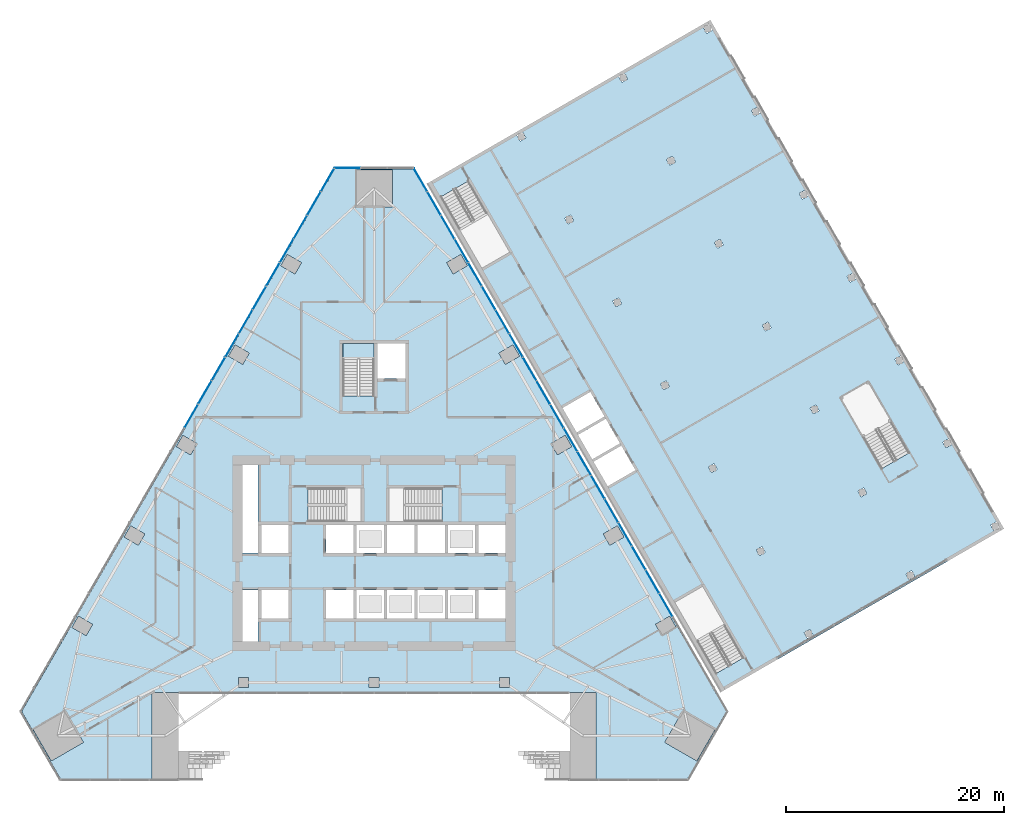
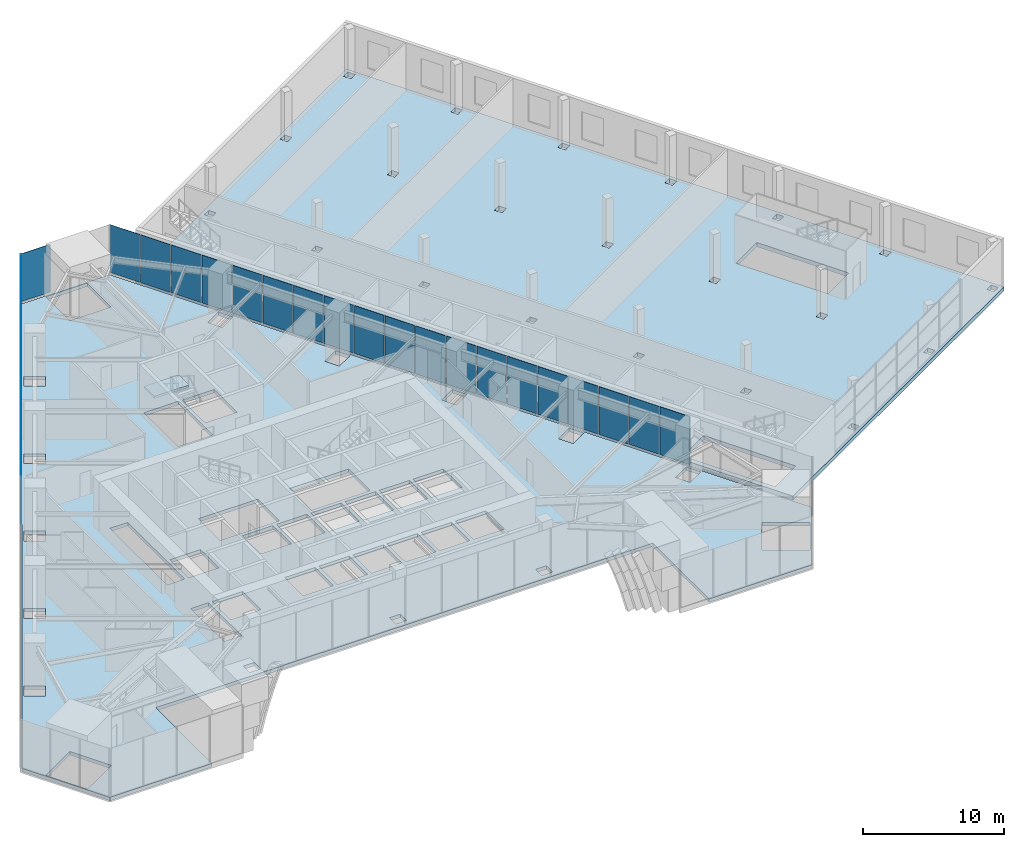
# One storey, part 15 of 29: 31 plates, 3 slabs, 4 elements without a shape of their own.
"""IFC4 building model written with IfcOpenShell, lengths in metres."""

from ifc_helpers import new_model, si_unit, direction, frame, origin, place, context, subcontext, project, spatial, polyline, outline, extrude, material, layer, layer_set, type_object, element, aggregate, save


model = new_model("IFC4")

# Units and contexts
model_context = context("Model", 3, precision=1e-05, world=origin(), true_north=direction((0.0, 1.0)))
body_context = subcontext(model_context, "Body", "Model", "MODEL_VIEW")
ifc_project = project(units=[si_unit("LENGTHUNIT", "METRE"), si_unit("AREAUNIT", "SQUARE_METRE"), si_unit("VOLUMEUNIT", "CUBIC_METRE"), si_unit("PLANEANGLEUNIT", "RADIAN"), si_unit("MASSUNIT", "GRAM", prefix="KILO")], contexts=[model_context])

# Site, building, storey
site_placement = place(None, origin())
site = spatial("IfcSite", under=ifc_project, at=site_placement, CompositionType="ELEMENT")
building_placement = place(site_placement, origin())
building = spatial("IfcBuilding", under=site, at=building_placement, Name="Firuza Gate Tower and Library", CompositionType="ELEMENT")
storey_placement = place(building_placement, frame((0.0, 0.0, 8.0)))
storey = spatial("IfcBuildingStorey", under=building, at=storey_placement, Name="L01", CompositionType="ELEMENT", Elevation=8.0)

# Curtain wall, plates
ifc_material_1 = material(Name="Aluminium 6063-T6", Category="aluminium")
ifc_layer_1 = layer(ifc_material_1, 0.14990234375)
ifc_layer_set_1 = layer_set([ifc_layer_1], Name="Stick curtain wall, podium")
curtain_wall_type = type_object("IfcCurtainWallType", Name="Stick curtain wall, podium", PredefinedType="NOTDEFINED", material=ifc_layer_set_1)
placement = place(storey_placement, origin())
curtain_wall_1 = element("IfcCurtainWall", 1, at=placement, inside=storey, type_object=curtain_wall_type, Name="CW5 L01 E", PredefinedType="NOTDEFINED")
ifc_material_2 = material(Name="Fritted glass", Category="glass")
ifc_layer_2 = layer(ifc_material_2, 0.030029296875)
ifc_layer_set_2 = layer_set([ifc_layer_2], Name="Clear glass unit, podium")
plate_type = type_object("IfcPlateType", Name="Clear glass unit, podium", PredefinedType="CURTAIN_PANEL", material=ifc_layer_set_2)
plate_1_placement = place(storey_placement, frame((102.46337890625, 69.18115234375, 0.14990234375), z_axis=(0.86603825568, 0.499977739203, 0.0), x_axis=(-0.499977739203, 0.86603825568, 0.0)))
plate_1 = element("IfcPlate", 2, at=plate_1_placement, type_object=plate_type, Name="Glass unit", PredefinedType="CURTAIN_PANEL", context=body_context, shape_type="SweptSolid", body=[
    extrude(outline(polyline([(0.0, 0.0), (2.428330769405526, 0.0), (2.428330769405526, 4.150146484375), (0.0, 4.150146484375), (0.0, 0.0)])), origin(), (0.0, 0.0, -1.0), 0.030029296875),
])
plate_2_placement = place(storey_placement, frame((101.209228515625, 71.353271484375, 0.14990234375), z_axis=(0.866056658381, 0.499945861543, 0.0), x_axis=(-0.499945861543, 0.866056658381, 0.0)))
plate_2 = element("IfcPlate", 3, at=plate_2_placement, type_object=plate_type, Name="Glass unit", PredefinedType="CURTAIN_PANEL", context=body_context, shape_type="SweptSolid", body=[
    extrude(outline(polyline([(0.0, 0.0), (2.4279972710515545, 0.0), (2.4279972710515545, 4.150146484375), (0.0, 4.150146484375), (0.0, 0.0)])), origin(), (0.0, 0.0, -1.0), 0.030029296875),
])
plate_3_placement = place(storey_placement, frame((99.955322265625, 73.525390625, 0.14990234375), z_axis=(0.866013120021, 0.500021275498, 0.0), x_axis=(-0.500021275498, 0.866013120021, 0.0)))
plate_3 = element("IfcPlate", 4, at=plate_3_placement, type_object=plate_type, Name="Glass unit", PredefinedType="CURTAIN_PANEL", context=body_context, shape_type="SweptSolid", body=[
    extrude(outline(polyline([(0.0, 0.0), (2.428119337352694, 0.0), (2.428119337352694, 4.150146484374999), (0.0, 4.150146484374999), (0.0, 0.0)])), origin(), (0.0, 0.0, -1.0), 0.030029296875),
])
plate_4_placement = place(storey_placement, frame((98.701171875, 75.697509765625, 0.14990234375), z_axis=(0.866013120021, 0.500021275498, 0.0), x_axis=(-0.500021275498, 0.866013120021, 0.0)))
plate_4 = element("IfcPlate", 5, at=plate_4_placement, type_object=plate_type, Name="Glass unit", PredefinedType="CURTAIN_PANEL", context=body_context, shape_type="SweptSolid", body=[
    extrude(outline(polyline([(0.0, 0.0), (2.428119337352694, 0.0), (2.428119337352694, 4.150146484374999), (0.0, 4.150146484374999), (0.0, 0.0)])), origin(), (0.0, 0.0, -1.0), 0.030029296875),
])
plate_5_placement = place(storey_placement, frame((97.447021484375, 77.86962890625, 0.14990234375), z_axis=(0.866056658381, 0.499945861543, 0.0), x_axis=(-0.499945861543, 0.866056658381, 0.0)))
plate_5 = element("IfcPlate", 6, at=plate_5_placement, type_object=plate_type, Name="Glass unit", PredefinedType="CURTAIN_PANEL", context=body_context, shape_type="SweptSolid", body=[
    extrude(outline(polyline([(0.0, 0.0), (2.4279972710515545, 0.0), (2.4279972710515545, 4.150146484375), (0.0, 4.150146484375), (0.0, 0.0)])), origin(), (0.0, 0.0, -1.0), 0.030029296875),
])
plate_6_placement = place(storey_placement, frame((96.193115234375, 80.041748046875, 0.14990234375), z_axis=(0.866013120021, 0.500021275498, 0.0), x_axis=(-0.500021275498, 0.866013120021, 0.0)))
plate_6 = element("IfcPlate", 7, at=plate_6_placement, type_object=plate_type, Name="Glass unit", PredefinedType="CURTAIN_PANEL", context=body_context, shape_type="SweptSolid", body=[
    extrude(outline(polyline([(0.0, 0.0), (2.428119337352694, 0.0), (2.428119337352694, 4.150146484374999), (0.0, 4.150146484374999), (0.0, 0.0)])), origin(), (0.0, 0.0, -1.0), 0.030029296875),
])
plate_7_placement = place(storey_placement, frame((94.93896484375, 82.2138671875, 0.14990234375), z_axis=(0.866013120021, 0.500021275498, 0.0), x_axis=(-0.500021275498, 0.866013120021, 0.0)))
plate_7 = element("IfcPlate", 8, at=plate_7_placement, type_object=plate_type, Name="Glass unit", PredefinedType="CURTAIN_PANEL", context=body_context, shape_type="SweptSolid", body=[
    extrude(outline(polyline([(0.0, 0.0), (2.428119337352694, 0.0), (2.428119337352694, 4.150146484374999), (0.0, 4.150146484374999), (0.0, 0.0)])), origin(), (0.0, 0.0, -1.0), 0.030029296875),
])
plate_8_placement = place(storey_placement, frame((93.68505859375, 84.385986328125, 0.14990234375), z_axis=(0.866013120021, 0.500021275498, 0.0), x_axis=(-0.500021275498, 0.866013120021, 0.0)))
plate_8 = element("IfcPlate", 9, at=plate_8_placement, type_object=plate_type, Name="Glass unit", PredefinedType="CURTAIN_PANEL", context=body_context, shape_type="SweptSolid", body=[
    extrude(outline(polyline([(0.0, 0.0), (2.428119337352694, 0.0), (2.428119337352694, 4.150146484374999), (0.0, 4.150146484374999), (0.0, 0.0)])), origin(), (0.0, 0.0, -1.0), 0.030029296875),
])
plate_9_placement = place(storey_placement, frame((92.430908203125, 86.55810546875, 0.14990234375), z_axis=(0.866013120021, 0.500021275498, 0.0), x_axis=(-0.500021275498, 0.866013120021, 0.0)))
plate_9 = element("IfcPlate", 10, at=plate_9_placement, type_object=plate_type, Name="Glass unit", PredefinedType="CURTAIN_PANEL", context=body_context, shape_type="SweptSolid", body=[
    extrude(outline(polyline([(0.0, 0.0), (2.428119337352694, 0.0), (2.428119337352694, 4.150146484374999), (0.0, 4.150146484374999), (0.0, 0.0)])), origin(), (0.0, 0.0, -1.0), 0.030029296875),
])
plate_10_placement = place(storey_placement, frame((91.1767578125, 88.72998046875, 0.14990234375), z_axis=(0.866081787721, 0.499902327438, 0.0), x_axis=(-0.499902327438, 0.866081787721, 0.0)))
plate_10 = element("IfcPlate", 11, at=plate_10_placement, type_object=plate_type, Name="Glass unit", PredefinedType="CURTAIN_PANEL", context=body_context, shape_type="SweptSolid", body=[
    extrude(outline(polyline([(0.0, 0.0), (2.428208713733097, 0.0), (2.428208713733097, 4.150146484375), (0.0, 4.150146484375), (0.0, 0.0)])), origin(), (0.0, 0.0, -1.0), 0.030029296875),
])
plate_11_placement = place(storey_placement, frame((89.9228515625, 90.902099609375, 0.14990234375), z_axis=(0.866013120021, 0.500021275498, 0.0), x_axis=(-0.500021275498, 0.866013120021, 0.0)))
plate_11 = element("IfcPlate", 12, at=plate_11_placement, type_object=plate_type, Name="Glass unit", PredefinedType="CURTAIN_PANEL", context=body_context, shape_type="SweptSolid", body=[
    extrude(outline(polyline([(0.0, 0.0), (2.428119337352694, 0.0), (2.428119337352694, 4.150146484374999), (0.0, 4.150146484374999), (0.0, 0.0)])), origin(), (0.0, 0.0, -1.0), 0.030029296875),
])
plate_12_placement = place(storey_placement, frame((88.668701171875, 93.07421875, 0.14990234375), z_axis=(0.866013120021, 0.500021275498, 0.0), x_axis=(-0.500021275498, 0.866013120021, 0.0)))
plate_12 = element("IfcPlate", 13, at=plate_12_placement, type_object=plate_type, Name="Glass unit", PredefinedType="CURTAIN_PANEL", context=body_context, shape_type="SweptSolid", body=[
    extrude(outline(polyline([(0.0, 0.0), (2.428119337352694, 0.0), (2.428119337352694, 4.150146484374999), (0.0, 4.150146484374999), (0.0, 0.0)])), origin(), (0.0, 0.0, -1.0), 0.030029296875),
])
plate_13_placement = place(storey_placement, frame((87.414794921875, 95.246337890625, 0.14990234375), z_axis=(0.866013120021, 0.500021275498, 0.0), x_axis=(-0.500021275498, 0.866013120021, 0.0)))
plate_13 = element("IfcPlate", 14, at=plate_13_placement, type_object=plate_type, Name="Glass unit", PredefinedType="CURTAIN_PANEL", context=body_context, shape_type="SweptSolid", body=[
    extrude(outline(polyline([(0.0, 0.0), (2.428119337352694, 0.0), (2.428119337352694, 4.150146484374999), (0.0, 4.150146484374999), (0.0, 0.0)])), origin(), (0.0, 0.0, -1.0), 0.030029296875),
])
plate_14_placement = place(storey_placement, frame((86.16064453125, 97.41845703125, 0.14990234375), z_axis=(0.866013120021, 0.500021275498, 0.0), x_axis=(-0.500021275498, 0.866013120021, 0.0)))
plate_14 = element("IfcPlate", 15, at=plate_14_placement, type_object=plate_type, Name="Glass unit", PredefinedType="CURTAIN_PANEL", context=body_context, shape_type="SweptSolid", body=[
    extrude(outline(polyline([(0.0, 0.0), (2.428119337352694, 0.0), (2.428119337352694, 4.150146484374999), (0.0, 4.150146484374999), (0.0, 0.0)])), origin(), (0.0, 0.0, -1.0), 0.030029296875),
])
plate_15_placement = place(storey_placement, frame((84.906494140625, 99.590576171875, 0.14990234375), z_axis=(0.866056658381, 0.499945861543, 0.0), x_axis=(-0.499945861543, 0.866056658381, 0.0)))
plate_15 = element("IfcPlate", 16, at=plate_15_placement, type_object=plate_type, Name="Glass unit", PredefinedType="CURTAIN_PANEL", context=body_context, shape_type="SweptSolid", body=[
    extrude(outline(polyline([(0.0, 0.0), (2.4279972710515545, 0.0), (2.4279972710515545, 4.150146484375), (0.0, 4.150146484375), (0.0, 0.0)])), origin(), (0.0, 0.0, -1.0), 0.030029296875),
])
plate_16_placement = place(storey_placement, frame((83.652587890625, 101.7626953125, 0.14990234375), z_axis=(0.866013120021, 0.500021275498, 0.0), x_axis=(-0.500021275498, 0.866013120021, 0.0)))
plate_16 = element("IfcPlate", 17, at=plate_16_placement, type_object=plate_type, Name="Glass unit", PredefinedType="CURTAIN_PANEL", context=body_context, shape_type="SweptSolid", body=[
    extrude(outline(polyline([(0.0, 0.0), (2.428119337352694, 0.0), (2.428119337352694, 4.150146484374999), (0.0, 4.150146484374999), (0.0, 0.0)])), origin(), (0.0, 0.0, -1.0), 0.030029296875),
])
plate_17_placement = place(storey_placement, frame((82.3984375, 103.934814453125, 0.14990234375), z_axis=(0.866013120021, 0.500021275498, 0.0), x_axis=(-0.500021275498, 0.866013120021, 0.0)))
plate_17 = element("IfcPlate", 18, at=plate_17_placement, type_object=plate_type, Name="Glass unit", PredefinedType="CURTAIN_PANEL", context=body_context, shape_type="SweptSolid", body=[
    extrude(outline(polyline([(0.0, 0.0), (2.428119337352694, 0.0), (2.428119337352694, 4.150146484374999), (0.0, 4.150146484374999), (0.0, 0.0)])), origin(), (0.0, 0.0, -1.0), 0.030029296875),
])
plate_18_placement = place(storey_placement, frame((81.144287109375, 106.106689453125, 0.14990234375), z_axis=(0.866081787721, 0.499902327438, 0.0), x_axis=(-0.499902327438, 0.866081787721, 0.0)))
plate_18 = element("IfcPlate", 19, at=plate_18_placement, type_object=plate_type, Name="Glass unit", PredefinedType="CURTAIN_PANEL", context=body_context, shape_type="SweptSolid", body=[
    extrude(outline(polyline([(0.0, 0.0), (2.428208713733097, 0.0), (2.428208713733097, 4.150146484375), (0.0, 4.150146484375), (0.0, 0.0)])), origin(), (0.0, 0.0, -1.0), 0.030029296875),
])
plate_19_placement = place(storey_placement, frame((79.890380859375, 108.27880859375, 0.14990234375), z_axis=(0.866013120021, 0.500021275498, 0.0), x_axis=(-0.500021275498, 0.866013120021, 0.0)))
plate_19 = element("IfcPlate", 20, at=plate_19_placement, type_object=plate_type, Name="Glass unit", PredefinedType="CURTAIN_PANEL", context=body_context, shape_type="SweptSolid", body=[
    extrude(outline(polyline([(0.0, 0.0), (2.428119337352694, 0.0), (2.428119337352694, 4.150146484374999), (0.0, 4.150146484374999), (0.0, 0.0)])), origin(), (0.0, 0.0, -1.0), 0.030029296875),
])
aggregate(curtain_wall_1, [plate_1, plate_2, plate_3, plate_4, plate_5, plate_6, plate_7, plate_8, plate_9, plate_10, plate_11, plate_12, plate_13, plate_14, plate_15, plate_16, plate_17, plate_18, plate_19])

# Curtain wall, plate
curtain_wall_2 = element("IfcCurtainWall", 21, at=placement, inside=storey, type_object=curtain_wall_type, Name="CW5 L01 N", PredefinedType="NOTDEFINED")
plate_20_placement = place(storey_placement, frame((73.74560546875, 110.423828125, 0.14990234375), z_axis=(0.0, 1.0, 0.0), x_axis=(-1.0, 0.0, 0.0)))
plate_20 = element("IfcPlate", 22, at=plate_20_placement, type_object=plate_type, Name="Glass unit", PredefinedType="CURTAIN_PANEL", context=body_context, shape_type="SweptSolid", body=[
    extrude(outline(polyline([(0.0, 0.0), (2.348876953125, 0.0), (2.348876953125, 4.150146484375), (0.0, 4.150146484375), (0.0, 0.0)])), origin(), (0.0, 0.0, -1.0), 0.030029296875),
])
aggregate(curtain_wall_2, [plate_20])

# Curtain wall, plates
curtain_wall_3 = element("IfcCurtainWall", 23, at=placement, inside=storey, type_object=curtain_wall_type, Name="CW5 L01 W", PredefinedType="NOTDEFINED")
plate_21_placement = place(storey_placement, frame((71.32373046875, 110.381591796875, 0.14990234375), z_axis=(-0.866013120021, 0.500021275498, 0.0), x_axis=(-0.500021275498, -0.866013120021, 0.0)))
plate_21 = element("IfcPlate", 24, at=plate_21_placement, type_object=plate_type, Name="Glass unit", PredefinedType="CURTAIN_PANEL", context=body_context, shape_type="SweptSolid", body=[
    extrude(outline(polyline([(0.0, 0.0), (2.428119337352694, 0.0), (2.428119337352694, 4.150146484374999), (0.0, 4.150146484374999), (0.0, 0.0)])), origin(), (0.0, 0.0, -1.0), 0.030029296875),
])
plate_22_placement = place(storey_placement, frame((70.069580078125, 108.209716796875, 0.14990234375), z_axis=(-0.866081787721, 0.499902327438, 0.0), x_axis=(-0.499902327438, -0.866081787721, 0.0)))
plate_22 = element("IfcPlate", 25, at=plate_22_placement, type_object=plate_type, Name="Glass unit", PredefinedType="CURTAIN_PANEL", context=body_context, shape_type="SweptSolid", body=[
    extrude(outline(polyline([(0.0, 0.0), (2.428208713733097, 0.0), (2.428208713733097, 4.150146484375), (0.0, 4.150146484375), (0.0, 0.0)])), origin(), (0.0, 0.0, -1.0), 0.030029296875),
])
plate_23_placement = place(storey_placement, frame((68.815673828125, 106.03759765625, 0.14990234375), z_axis=(-0.866013120021, 0.500021275498, 0.0), x_axis=(-0.500021275498, -0.866013120021, 0.0)))
plate_23 = element("IfcPlate", 26, at=plate_23_placement, type_object=plate_type, Name="Glass unit", PredefinedType="CURTAIN_PANEL", context=body_context, shape_type="SweptSolid", body=[
    extrude(outline(polyline([(0.0, 0.0), (2.428119337352694, 0.0), (2.428119337352694, 4.150146484374999), (0.0, 4.150146484374999), (0.0, 0.0)])), origin(), (0.0, 0.0, -1.0), 0.030029296875),
])
plate_24_placement = place(storey_placement, frame((67.5615234375, 103.865478515625, 0.14990234375), z_axis=(-0.866013120021, 0.500021275498, 0.0), x_axis=(-0.500021275498, -0.866013120021, 0.0)))
plate_24 = element("IfcPlate", 27, at=plate_24_placement, type_object=plate_type, Name="Glass unit", PredefinedType="CURTAIN_PANEL", context=body_context, shape_type="SweptSolid", body=[
    extrude(outline(polyline([(0.0, 0.0), (2.428119337352694, 0.0), (2.428119337352694, 4.150146484374999), (0.0, 4.150146484374999), (0.0, 0.0)])), origin(), (0.0, 0.0, -1.0), 0.030029296875),
])
plate_25_placement = place(storey_placement, frame((66.307373046875, 101.693359375, 0.14990234375), z_axis=(-0.866056658381, 0.499945861543, 0.0), x_axis=(-0.499945861543, -0.866056658381, 0.0)))
plate_25 = element("IfcPlate", 28, at=plate_25_placement, type_object=plate_type, Name="Glass unit", PredefinedType="CURTAIN_PANEL", context=body_context, shape_type="SweptSolid", body=[
    extrude(outline(polyline([(0.0, 0.0), (2.4279972710515545, 0.0), (2.4279972710515545, 4.150146484375), (0.0, 4.150146484375), (0.0, 0.0)])), origin(), (0.0, 0.0, -1.0), 0.030029296875),
])
plate_26_placement = place(storey_placement, frame((65.053466796875, 99.521240234375, 0.14990234375), z_axis=(-0.866013120021, 0.500021275498, 0.0), x_axis=(-0.500021275498, -0.866013120021, 0.0)))
plate_26 = element("IfcPlate", 29, at=plate_26_placement, type_object=plate_type, Name="Glass unit", PredefinedType="CURTAIN_PANEL", context=body_context, shape_type="SweptSolid", body=[
    extrude(outline(polyline([(0.0, 0.0), (2.428119337352694, 0.0), (2.428119337352694, 4.150146484374999), (0.0, 4.150146484374999), (0.0, 0.0)])), origin(), (0.0, 0.0, -1.0), 0.030029296875),
])
plate_27_placement = place(storey_placement, frame((63.79931640625, 97.34912109375, 0.14990234375), z_axis=(-0.866013120021, 0.500021275498, 0.0), x_axis=(-0.500021275498, -0.866013120021, 0.0)))
plate_27 = element("IfcPlate", 30, at=plate_27_placement, type_object=plate_type, Name="Glass unit", PredefinedType="CURTAIN_PANEL", context=body_context, shape_type="SweptSolid", body=[
    extrude(outline(polyline([(0.0, 0.0), (2.428119337352694, 0.0), (2.428119337352694, 4.150146484374999), (0.0, 4.150146484374999), (0.0, 0.0)])), origin(), (0.0, 0.0, -1.0), 0.030029296875),
])
plate_28_placement = place(storey_placement, frame((62.54541015625, 95.177001953125, 0.14990234375), z_axis=(-0.866013120021, 0.500021275498, 0.0), x_axis=(-0.500021275498, -0.866013120021, 0.0)))
plate_28 = element("IfcPlate", 31, at=plate_28_placement, type_object=plate_type, Name="Glass unit", PredefinedType="CURTAIN_PANEL", context=body_context, shape_type="SweptSolid", body=[
    extrude(outline(polyline([(0.0, 0.0), (2.428119337352694, 0.0), (2.428119337352694, 4.150146484374999), (0.0, 4.150146484374999), (0.0, 0.0)])), origin(), (0.0, 0.0, -1.0), 0.030029296875),
])
plate_29_placement = place(storey_placement, frame((61.291259765625, 93.0048828125, 0.14990234375), z_axis=(-0.866013120021, 0.500021275498, 0.0), x_axis=(-0.500021275498, -0.866013120021, 0.0)))
plate_29 = element("IfcPlate", 32, at=plate_29_placement, type_object=plate_type, Name="Glass unit", PredefinedType="CURTAIN_PANEL", context=body_context, shape_type="SweptSolid", body=[
    extrude(outline(polyline([(0.0, 0.0), (2.428119337352694, 0.0), (2.428119337352694, 4.150146484374999), (0.0, 4.150146484374999), (0.0, 0.0)])), origin(), (0.0, 0.0, -1.0), 0.030029296875),
])
plate_30_placement = place(storey_placement, frame((60.037109375, 90.8330078125, 0.14990234375), z_axis=(-0.866081787721, 0.499902327438, 0.0), x_axis=(-0.499902327438, -0.866081787721, 0.0)))
plate_30 = element("IfcPlate", 33, at=plate_30_placement, type_object=plate_type, Name="Glass unit", PredefinedType="CURTAIN_PANEL", context=body_context, shape_type="SweptSolid", body=[
    extrude(outline(polyline([(0.0, 0.0), (2.428208713733097, 0.0), (2.428208713733097, 4.150146484375), (0.0, 4.150146484375), (0.0, 0.0)])), origin(), (0.0, 0.0, -1.0), 0.030029296875),
])
plate_31_placement = place(storey_placement, frame((58.783203125, 88.660888671875, 0.14990234375), z_axis=(-0.866013120021, 0.500021275498, 0.0), x_axis=(-0.500021275498, -0.866013120021, 0.0)))
plate_31 = element("IfcPlate", 34, at=plate_31_placement, type_object=plate_type, Name="Glass unit", PredefinedType="CURTAIN_PANEL", context=body_context, shape_type="SweptSolid", body=[
    extrude(outline(polyline([(0.0, 0.0), (2.428119337352694, 0.0), (2.428119337352694, 4.150146484374999), (0.0, 4.150146484374999), (0.0, 0.0)])), origin(), (0.0, 0.0, -1.0), 0.030029296875),
])
aggregate(curtain_wall_3, [plate_21, plate_22, plate_23, plate_24, plate_25, plate_26, plate_27, plate_28, plate_29, plate_30, plate_31])

# Slabs
ifc_material_3 = material(Name="Concrete C40/50", Category="concrete")
ifc_layer_3 = layer(ifc_material_3, 0.300048828125)
ifc_layer_set_3 = layer_set([ifc_layer_3], Name="Composite floor slab 300 C40/50")
slab_type_1 = type_object("IfcSlabType", Name="Composite floor slab 300 C40/50", PredefinedType="FLOOR", material=ifc_layer_set_3)
slab_1_placement = place(storey_placement, frame((0.0, 0.0, -0.300048828125)))
element("IfcSlab", 35, at=slab_1_placement, inside=storey, type_object=slab_type_1, Name="Floor slab L01", PredefinedType="FLOOR", context=body_context, shape_type="SweptSolid", body=[
    extrude(outline(polyline([(46.199951171875, 54.21533203125), (54.60009765625, 54.21533203125), (54.60009765625, 62.21533203125), (57.0, 62.21533203125), (93.0, 62.21533203125), (95.39990234375, 62.21533203125), (95.39990234375, 54.21533203125), (103.800048828125, 54.21533203125), (107.39990234375, 60.45068359375), (78.60009765625, 110.333740234375), (71.39990234375, 110.333740234375), (42.60009765625, 60.45068359375), (46.199951171875, 54.21533203125)]), holes=[polyline([(43.63671875, 58.855224609375), (46.5810546875, 60.555419921875), (48.281005859375, 57.61083984375), (45.336669921875, 55.910888671875), (43.63671875, 58.855224609375)]), polyline([(74.550048828125, 62.665283203125), (74.550048828125, 63.5654296875), (75.449951171875, 63.5654296875), (75.449951171875, 62.665283203125), (74.550048828125, 62.665283203125)]), polyline([(62.550048828125, 62.665283203125), (62.550048828125, 63.5654296875), (63.449951171875, 63.5654296875), (63.449951171875, 62.665283203125), (62.550048828125, 62.665283203125)]), polyline([(47.829833984375, 69.209228515625), (49.12890625, 68.459228515625), (48.529052734375, 67.419921875), (47.22998046875, 68.169921875), (47.829833984375, 69.209228515625)]), polyline([(64.35009765625, 66.89990234375), (62.89990234375, 66.89990234375), (62.89990234375, 71.60009765625), (64.35009765625, 71.60009765625), (64.35009765625, 66.89990234375)]), polyline([(67.14990234375, 69.0), (64.64990234375, 69.0), (64.64990234375, 71.60009765625), (67.14990234375, 71.60009765625), (67.14990234375, 69.0)]), polyline([(70.60009765625, 69.0), (70.60009765625, 71.60009765625), (73.10009765625, 71.60009765625), (73.10009765625, 69.0), (70.60009765625, 69.0)]), polyline([(73.39990234375, 69.0), (73.39990234375, 71.60009765625), (75.89990234375, 71.60009765625), (75.89990234375, 69.0), (73.39990234375, 69.0)]), polyline([(67.14990234375, 75.0), (64.64990234375, 75.0), (64.64990234375, 77.60009765625), (67.14990234375, 77.60009765625), (67.14990234375, 75.0)]), polyline([(73.10009765625, 75.0), (70.60009765625, 75.0), (70.60009765625, 77.60009765625), (73.10009765625, 77.60009765625), (73.10009765625, 75.0)]), polyline([(75.89990234375, 75.0), (73.39990234375, 75.0), (73.39990234375, 77.60009765625), (75.89990234375, 77.60009765625), (75.89990234375, 75.0)]), polyline([(53.928955078125, 76.773193359375), (53.328857421875, 75.73388671875), (52.02978515625, 76.48388671875), (52.6298828125, 77.523193359375), (53.928955078125, 76.773193359375)]), polyline([(62.89990234375, 75.0), (62.89990234375, 83.10009765625), (64.35009765625, 83.10009765625), (64.35009765625, 75.0), (62.89990234375, 75.0)]), polyline([(73.81005859375, 77.89990234375), (68.9404296875, 77.89990234375), (68.9404296875, 80.97998046875), (73.81005859375, 80.97998046875), (73.81005859375, 77.89990234375)]), polyline([(57.429931640625, 85.8369140625), (58.72900390625, 85.0869140625), (58.12890625, 84.047607421875), (56.829833984375, 84.797607421875), (57.429931640625, 85.8369140625)]), polyline([(72.159912109375, 89.470458984375), (72.159912109375, 94.300048828125), (75.0, 94.300048828125), (75.0, 89.470458984375), (72.159912109375, 89.470458984375)]), polyline([(63.529052734375, 93.40087890625), (62.928955078125, 92.361572265625), (61.6298828125, 93.111572265625), (62.22998046875, 94.15087890625), (63.529052734375, 93.40087890625)]), polyline([(68.328857421875, 101.714599609375), (67.72900390625, 100.67529296875), (66.429931640625, 101.42529296875), (67.02978515625, 102.464599609375), (68.328857421875, 101.714599609375)]), polyline([(104.663330078125, 55.910888671875), (101.718994140625, 57.61083984375), (103.4189453125, 60.555419921875), (106.36328125, 58.855224609375), (104.663330078125, 55.910888671875)]), polyline([(86.550048828125, 62.665283203125), (86.550048828125, 63.5654296875), (87.449951171875, 63.5654296875), (87.449951171875, 62.665283203125), (86.550048828125, 62.665283203125)]), polyline([(102.77001953125, 68.169921875), (101.470947265625, 67.419921875), (100.87109375, 68.459228515625), (102.170166015625, 69.209228515625), (102.77001953125, 68.169921875)]), polyline([(84.300048828125, 69.0), (81.800048828125, 69.0), (81.800048828125, 71.60009765625), (84.300048828125, 71.60009765625), (84.300048828125, 69.0)]), polyline([(87.10009765625, 69.0), (84.60009765625, 69.0), (84.60009765625, 71.60009765625), (87.10009765625, 71.60009765625), (87.10009765625, 69.0)]), polyline([(81.5, 69.0), (79.0, 69.0), (79.0, 71.60009765625), (81.5, 71.60009765625), (81.5, 69.0)]), polyline([(76.199951171875, 69.0), (76.199951171875, 71.60009765625), (78.699951171875, 71.60009765625), (78.699951171875, 69.0), (76.199951171875, 69.0)]), polyline([(81.800048828125, 75.0), (81.800048828125, 77.60009765625), (84.300048828125, 77.60009765625), (84.300048828125, 75.0), (81.800048828125, 75.0)]), polyline([(81.5, 75.0), (79.0, 75.0), (79.0, 77.60009765625), (81.5, 77.60009765625), (81.5, 75.0)]), polyline([(87.10009765625, 75.0), (84.60009765625, 75.0), (84.60009765625, 77.60009765625), (87.10009765625, 77.60009765625), (87.10009765625, 75.0)]), polyline([(78.699951171875, 75.0), (76.199951171875, 75.0), (76.199951171875, 77.60009765625), (78.699951171875, 77.60009765625), (78.699951171875, 75.0)]), polyline([(96.671142578125, 75.73388671875), (96.071044921875, 76.773193359375), (97.3701171875, 77.523193359375), (97.97021484375, 76.48388671875), (96.671142578125, 75.73388671875)]), polyline([(76.389892578125, 77.89990234375), (76.389892578125, 80.97998046875), (81.259521484375, 80.97998046875), (81.259521484375, 77.89990234375), (76.389892578125, 77.89990234375)]), polyline([(93.170166015625, 84.797607421875), (91.87109375, 84.047607421875), (91.27099609375, 85.0869140625), (92.570068359375, 85.8369140625), (93.170166015625, 84.797607421875)]), polyline([(77.89990234375, 91.050048828125), (75.300048828125, 91.050048828125), (75.300048828125, 94.300048828125), (77.89990234375, 94.300048828125), (77.89990234375, 91.050048828125)]), polyline([(88.3701171875, 93.111572265625), (87.071044921875, 92.361572265625), (86.470947265625, 93.40087890625), (87.77001953125, 94.15087890625), (88.3701171875, 93.111572265625)]), polyline([(82.27099609375, 100.67529296875), (81.671142578125, 101.714599609375), (82.97021484375, 102.464599609375), (83.570068359375, 101.42529296875), (82.27099609375, 100.67529296875)]), polyline([(76.699951171875, 106.833740234375), (73.300048828125, 106.833740234375), (73.300048828125, 110.23388671875), (76.699951171875, 110.23388671875), (76.699951171875, 106.833740234375)])]), origin(), (0.0, 0.0, 1.0), 0.300048828125),
])
ifc_material_4 = material(Name="Concrete C40/50", Category="concrete")
ifc_layer_4 = layer(ifc_material_4, 0.360107421875)
ifc_layer_set_4 = layer_set([ifc_layer_4], Name="LIB FLAT SLAB 360")
slab_type_2 = type_object("IfcSlabType", Name="LIB FLAT SLAB 360", PredefinedType="FLOOR", material=ifc_layer_set_4)
slab_2_placement = place(storey_placement, frame((0.0, 0.0, -0.360107421875)))
element("IfcSlab", 36, at=slab_2_placement, inside=storey, type_object=slab_type_2, Name="Library floor slab L01", PredefinedType="FLOOR", context=body_context, shape_type="SweptSolid", body=[
    extrude(outline(polyline([(106.93310546875, 62.259521484375), (132.913818359375, 77.259521484375), (105.913818359375, 124.02490234375), (79.93310546875, 109.02490234375), (106.93310546875, 62.259521484375)]), holes=[polyline([(108.98388671875, 65.4072265625), (105.2041015625, 71.9541015625), (102.6494140625, 70.47900390625), (106.42919921875, 63.932373046875), (108.98388671875, 65.4072265625)]), polyline([(96.4794921875, 81.165771484375), (99.0341796875, 82.640869140625), (97.734130859375, 84.892333984375), (95.179443359375, 83.41748046875), (96.4794921875, 81.165771484375)]), polyline([(95.054443359375, 83.6337890625), (97.609130859375, 85.10888671875), (96.30908203125, 87.360595703125), (93.75439453125, 85.885498046875), (95.054443359375, 83.6337890625)]), polyline([(114.537109375, 67.68896484375), (114.8369140625, 67.16943359375), (115.356689453125, 67.469482421875), (115.056640625, 67.989013671875), (114.537109375, 67.68896484375)]), polyline([(110.43701171875, 74.79052734375), (110.956787109375, 75.090576171875), (110.65673828125, 75.610107421875), (110.136962890625, 75.31005859375), (110.43701171875, 74.79052734375)]), polyline([(106.037109375, 82.41162109375), (106.556640625, 82.71142578125), (106.256591796875, 83.231201171875), (105.737060546875, 82.93115234375), (106.037109375, 82.41162109375)]), polyline([(101.3369140625, 90.552001953125), (101.636962890625, 90.032470703125), (102.15673828125, 90.33251953125), (101.856689453125, 90.85205078125), (101.3369140625, 90.552001953125)]), polyline([(124.190185546875, 72.5693359375), (124.709716796875, 72.869384765625), (124.40966796875, 73.388916015625), (123.89013671875, 73.089111328125), (124.190185546875, 72.5693359375)]), polyline([(119.7900390625, 80.1904296875), (120.309814453125, 80.490478515625), (120.009765625, 81.010009765625), (119.489990234375, 80.710205078125), (119.7900390625, 80.1904296875)]), polyline([(115.39013671875, 87.8115234375), (115.90966796875, 88.111572265625), (115.609619140625, 88.631103515625), (115.090087890625, 88.3310546875), (115.39013671875, 87.8115234375)]), polyline([(120.426513671875, 90.788330078125), (117.87158203125, 89.3134765625), (121.6513671875, 82.7666015625), (124.2060546875, 84.24169921875), (120.426513671875, 90.788330078125)]), polyline([(131.984375, 77.0693359375), (132.50390625, 77.369384765625), (132.2041015625, 77.888916015625), (131.684326171875, 77.589111328125), (131.984375, 77.0693359375)]), polyline([(127.58447265625, 84.6904296875), (128.10400390625, 84.990478515625), (127.803955078125, 85.510009765625), (127.284423828125, 85.210205078125), (127.58447265625, 84.6904296875)]), polyline([(122.884521484375, 92.8310546875), (123.184326171875, 92.3115234375), (123.7041015625, 92.611572265625), (123.404052734375, 93.131103515625), (122.884521484375, 92.8310546875)]), polyline([(84.909423828125, 101.20556640625), (87.464111328125, 102.6806640625), (83.684326171875, 109.227294921875), (81.129638671875, 107.752197265625), (84.909423828125, 101.20556640625)]), polyline([(93.62939453125, 86.10205078125), (96.18408203125, 87.5771484375), (94.88427734375, 89.828857421875), (92.329345703125, 88.353759765625), (93.62939453125, 86.10205078125)]), polyline([(97.237060546875, 97.653564453125), (97.756591796875, 97.95361328125), (97.456787109375, 98.47314453125), (96.93701171875, 98.173095703125), (97.237060546875, 97.653564453125)]), polyline([(92.8369140625, 105.2744140625), (93.356689453125, 105.574462890625), (93.056640625, 106.09423828125), (92.537109375, 105.794189453125), (92.8369140625, 105.2744140625)]), polyline([(88.43701171875, 112.8955078125), (88.956787109375, 113.195556640625), (88.65673828125, 113.715087890625), (88.136962890625, 113.415283203125), (88.43701171875, 112.8955078125)]), polyline([(110.989990234375, 95.4326171875), (111.509765625, 95.732421875), (111.209716796875, 96.252197265625), (110.690185546875, 95.9521484375), (110.989990234375, 95.4326171875)]), polyline([(106.2900390625, 103.572998046875), (106.590087890625, 103.053466796875), (107.109619140625, 103.353515625), (106.809814453125, 103.873046875), (106.2900390625, 103.572998046875)]), polyline([(102.190185546875, 110.674560546875), (102.709716796875, 110.974609375), (102.40966796875, 111.494140625), (101.89013671875, 111.194091796875), (102.190185546875, 110.674560546875)]), polyline([(97.7900390625, 118.295654296875), (98.309814453125, 118.595703125), (98.009765625, 119.115234375), (97.489990234375, 118.815185546875), (97.7900390625, 118.295654296875)]), polyline([(118.784423828125, 99.9326171875), (119.303955078125, 100.232421875), (119.00390625, 100.752197265625), (118.484375, 100.4521484375), (118.784423828125, 99.9326171875)]), polyline([(114.384521484375, 107.553466796875), (114.904052734375, 107.853515625), (114.60400390625, 108.373046875), (114.08447265625, 108.072998046875), (114.384521484375, 107.553466796875)]), polyline([(109.984375, 115.174560546875), (110.50390625, 115.474609375), (110.2041015625, 115.994140625), (109.684326171875, 115.694091796875), (109.984375, 115.174560546875)]), polyline([(105.58447265625, 122.795654296875), (106.10400390625, 123.095703125), (105.803955078125, 123.615234375), (105.284423828125, 123.315185546875), (105.58447265625, 122.795654296875)])]), origin(), (0.0, 0.0, 1.0), 0.360107421875),
])

# Stair, slab
ifc_material_5 = material(Name="Concrete C35/45", Category="concrete")
stair_type = type_object("IfcStairType", Name="Exit stair ST13", PredefinedType="HALF_TURN_STAIR", material=ifc_material_5)
stair = element("IfcStair", 37, at=placement, inside=storey, type_object=stair_type, Name="L01 Stair ST3", PredefinedType="HALF_TURN_STAIR")
ifc_material_6 = material(Name="Concrete C35/45", Category="concrete")
ifc_layer_5 = layer(ifc_material_6, 0.199951171875)
ifc_layer_set_5 = layer_set([ifc_layer_5], Name="Stair landing 200")
slab_type_3 = type_object("IfcSlabType", Name="Stair landing 200", PredefinedType="LANDING", material=ifc_layer_set_5)
slab_3_placement = place(storey_placement, frame((0.0, 0.0, 2.10009765625)))
slab_3 = element("IfcSlab", 38, at=slab_3_placement, type_object=slab_type_3, Name="ST3 landing 1", PredefinedType="LANDING", context=body_context, shape_type="SweptSolid", body=[
    extrude(outline(polyline([(75.0, 92.830078125), (75.0, 94.300048828125), (72.159912109375, 94.300048828125), (72.159912109375, 92.830078125), (75.0, 92.830078125)])), origin(), (0.0, 0.0, 1.0), 0.199951171875),
])
aggregate(stair, [slab_3])

save(model, "model.ifc")
